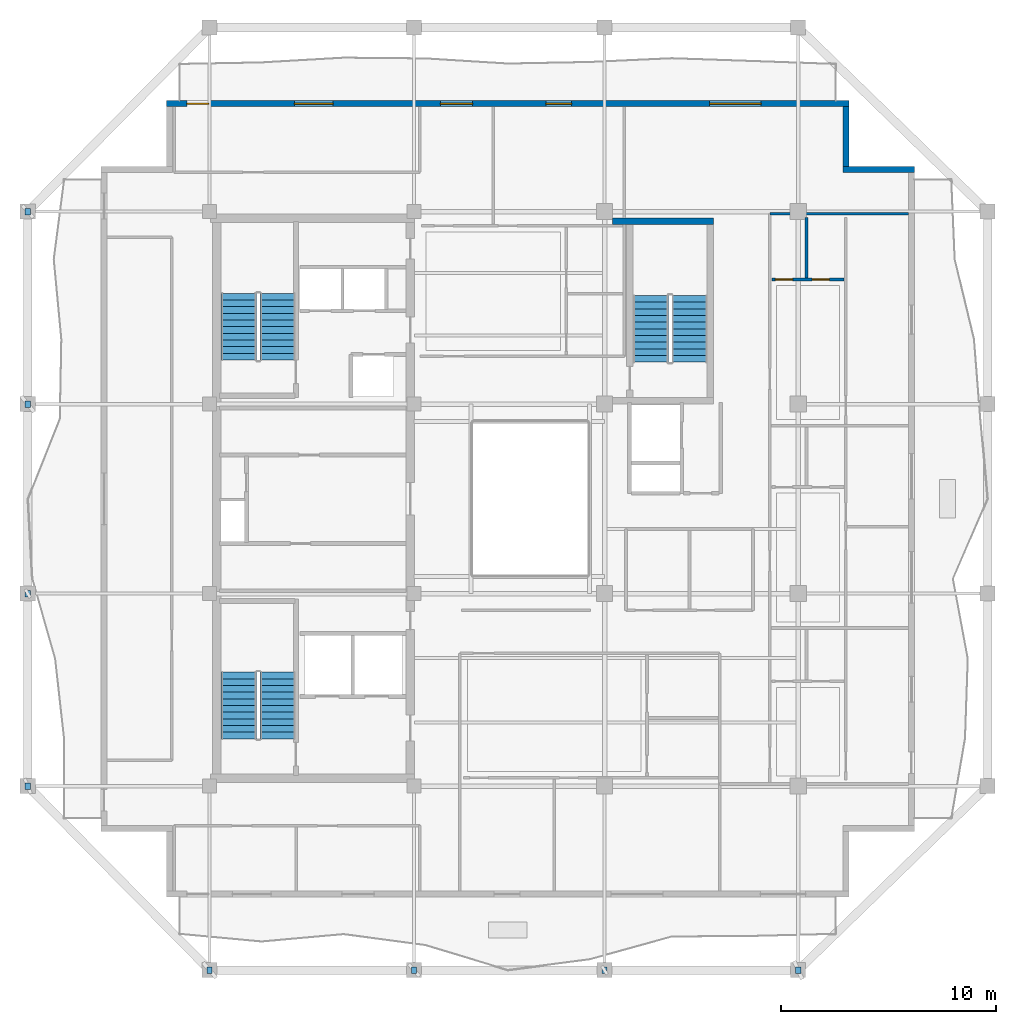
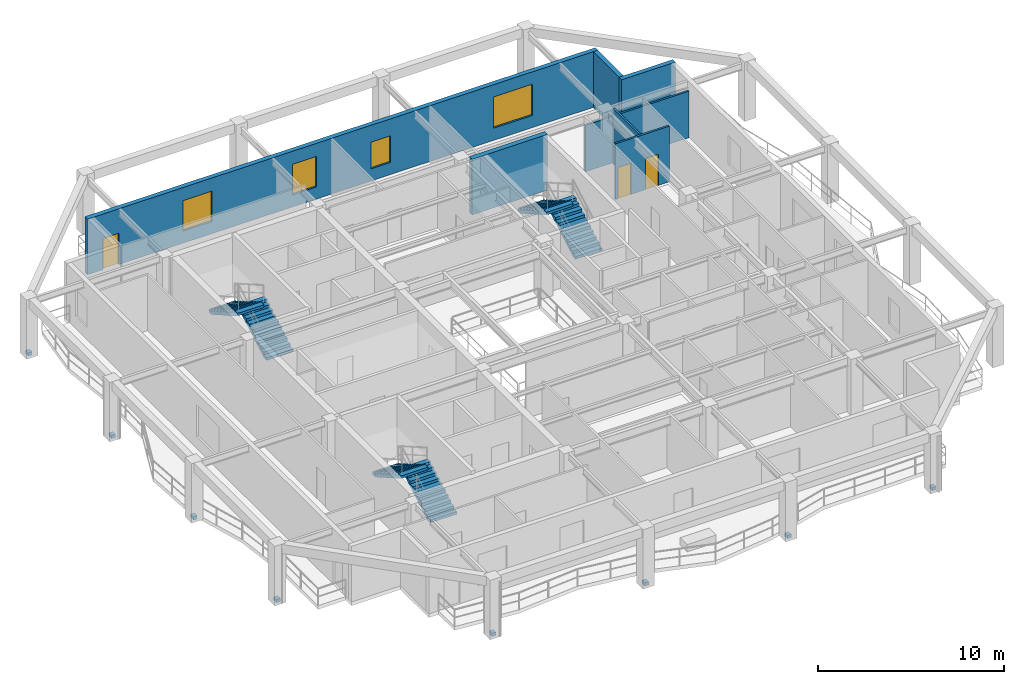
# One storey, part 6 of 10: 8 discrete accessories, 7 walls, 6 stair flights, 4 windows, 3 doors, 7 openings, 3 elements without a shape of their own.
"""IFC4 building model written with IfcOpenShell, lengths in metres."""

from ifc_helpers import new_model, si_unit, direction, frame, frame_2d, origin, origin_2d, place, context, subcontext, project, spatial, polyline, rectangle, outline, extrude, material, layer, layer_set, type_object, element, fill, aggregate, save


model = new_model("IFC4")

# Units and contexts
model_context = context("Model", 3, precision=1e-05, world=origin(), true_north=direction((0.0, 1.0)))
body_context = subcontext(model_context, "Body", "Model", "MODEL_VIEW")
ifc_project = project(units=[si_unit("LENGTHUNIT", "METRE"), si_unit("AREAUNIT", "SQUARE_METRE"), si_unit("VOLUMEUNIT", "CUBIC_METRE"), si_unit("PLANEANGLEUNIT", "RADIAN"), si_unit("MASSUNIT", "GRAM", prefix="KILO")], contexts=[model_context])

# Site, building, storey
site_placement = place(None, origin())
site = spatial("IfcSite", under=ifc_project, at=site_placement, CompositionType="ELEMENT")
building_placement = place(site_placement, origin())
building = spatial("IfcBuilding", under=site, at=building_placement, Name="Kundavana Baori Tower", CompositionType="ELEMENT")
storey_placement = place(building_placement, frame((0.0, 0.0, 292.10009765625)))
storey = spatial("IfcBuildingStorey", under=building, at=storey_placement, Name="L72", CompositionType="ELEMENT", Elevation=292.10009765625)

# Walls
ifc_material_1 = material(Name="Red-Buff Dholpur Sandstone Cladding on Concrete C40/50", Category="masonry")
ifc_layer_1 = layer(ifc_material_1, 0.280029296875, Name="WL-EXT-SAND-280")
ifc_layer_set_1 = layer_set([ifc_layer_1], Name="Red-Buff Dholpur Sandstone Cladding on Concrete C40/50")
wall_type_1 = type_object("IfcWallType", Name="WL-EXT-SAND-280", PredefinedType="STANDARD", material=ifc_layer_set_1)
wall_1_placement = place(storey_placement, frame((48.199951171875, 43.909912109375, 0.0), z_axis=(0.0, 0.0, 1.0), x_axis=(-1.0, 0.0, 0.0)))
element("IfcWall", 1, at=wall_1_placement, inside=storey, type_object=wall_type_1, Name="L72 Exterior Insulated Facade Wall 05", PredefinedType="STANDARD", context=body_context, shape_type="SweptSolid", body=[
    extrude(rectangle(XDim=3.329833984375, YDim=0.280029296875, at=frame_2d((1.6650390625, 0.0))), origin(), (0.0, 0.0, 1.0), 3.659912109375),
])
wall_2_placement = place(storey_placement, frame((45.010009765625, 44.050048828125, 0.0), z_axis=(0.0, 0.0, 1.0), x_axis=(0.0, 1.0, 0.0)))
element("IfcWall", 2, at=wall_2_placement, inside=storey, type_object=wall_type_1, Name="L72 Exterior Insulated Facade Wall 06", PredefinedType="STANDARD", context=body_context, shape_type="SweptSolid", body=[
    extrude(rectangle(XDim=2.77001953125, YDim=0.280029296875, at=frame_2d((1.385009765625, 0.0))), origin(), (0.0, 0.0, 1.0), 3.659912109375),
])

# Wall, openings, door, windows
wall_3_placement = place(storey_placement, frame((45.14990234375, 46.9599609375, 0.0), z_axis=(0.0, 0.0, 1.0), x_axis=(-1.0, 0.0, 0.0)))
wall_3 = element("IfcWall", 3, at=wall_3_placement, inside=storey, type_object=wall_type_1, Name="L72 Exterior Insulated Facade Wall 07", PredefinedType="STANDARD", context=body_context, shape_type="SweptSolid", body=[
    extrude(rectangle(XDim=31.699951171875, YDim=0.280029296875, at=frame_2d((15.85009765625, 0.0))), origin(), (0.0, 0.0, 1.0), 3.659912109375),
])
opening_1_placement = place(wall_3_placement, frame((29.75, 0.0, 0.0)))
opening_1 = element("IfcOpeningElement", 4, at=opening_1_placement, cuts=wall_3, Name="Opening BD-1", PredefinedType="OPENING", context=body_context, shape_type="SweptSolid", body=[
    extrude(rectangle(XDim=1.0, YDim=2.050048828125, at=frame_2d((0.5, 1.02490234375))), frame((0.0, 0.14990234375, 0.0), z_axis=(0.0, -1.0, 0.0), x_axis=(1.0, 0.0, 0.0)), (0.0, 0.0, 1.0), 0.300048828125),
])
opening_2_placement = place(wall_3_placement, frame((23.965087890625, 0.0, 0.800048828125)))
opening_2 = element("IfcOpeningElement", 5, at=opening_2_placement, cuts=wall_3, Name="Opening W-01", PredefinedType="OPENING", context=body_context, shape_type="SweptSolid", body=[
    extrude(rectangle(XDim=1.800048828125, YDim=2.0, at=frame_2d((0.89990234375, 1.0))), frame((0.0, 0.14990234375, 0.0), z_axis=(0.0, -1.0, 0.0), x_axis=(1.0, 0.0, 0.0)), (0.0, 0.0, 1.0), 0.300048828125),
])
opening_3_placement = place(wall_3_placement, frame((17.47802734375, 0.0, 0.800048828125)))
opening_3 = element("IfcOpeningElement", 6, at=opening_3_placement, cuts=wall_3, Name="Opening W-02", PredefinedType="OPENING", context=body_context, shape_type="SweptSolid", body=[
    extrude(rectangle(XDim=1.5, YDim=2.0, at=frame_2d((0.75, 1.0))), frame((0.0, 0.14990234375, 0.0), z_axis=(0.0, -1.0, 0.0), x_axis=(1.0, 0.0, 0.0)), (0.0, 0.0, 1.0), 0.300048828125),
])
opening_4_placement = place(wall_3_placement, frame((12.8779296875, 0.0, 0.800048828125)))
opening_4 = element("IfcOpeningElement", 7, at=opening_4_placement, cuts=wall_3, Name="Opening W-03", PredefinedType="OPENING", context=body_context, shape_type="SweptSolid", body=[
    extrude(rectangle(XDim=1.199951171875, YDim=1.75, at=frame_2d((0.60009765625, 0.875))), frame((0.0, 0.14990234375, 0.0), z_axis=(0.0, -1.0, 0.0), x_axis=(1.0, 0.0, 0.0)), (0.0, 0.0, 1.0), 0.300048828125),
])
opening_5_placement = place(wall_3_placement, frame((4.070068359375, 0.0, 0.800048828125)))
opening_5 = element("IfcOpeningElement", 8, at=opening_5_placement, cuts=wall_3, Name="Opening W-04", PredefinedType="OPENING", context=body_context, shape_type="SweptSolid", body=[
    extrude(rectangle(XDim=2.39990234375, YDim=2.050048828125, at=frame_2d((1.199951171875, 1.02490234375))), frame((0.0, 0.14990234375, 0.0), z_axis=(0.0, -1.0, 0.0), x_axis=(1.0, 0.0, 0.0)), (0.0, 0.0, 1.0), 0.300048828125),
])
ifc_material_2 = material(Name="Architectural Patinated Bronze Metalwork")
door_type_1 = type_object("IfcDoorType", Name="DR-EXT-LOG-1000", OperationType="NOTDEFINED", PredefinedType="DOOR", material=ifc_material_2)
door_1_placement = place(opening_1_placement, frame((1.0, 0.0, 0.0), z_axis=(0.0, 0.0, 1.0), x_axis=(-1.0, 0.0, 0.0)))
door_1 = element("IfcDoor", 9, at=door_1_placement, inside=storey, type_object=door_type_1, Name="L72 Loggia Balcony Access Door N", OperationType="SINGLE_SWING_LEFT", OverallHeight=2.050048828125, OverallWidth=1.0, PredefinedType="DOOR", context=body_context, shape_type="SweptSolid", body=[
    extrude(rectangle(XDim=1.0, YDim=2.050048828125, at=frame_2d((0.5, 1.02490234375))), frame((0.0, 0.02490234375, 0.0), z_axis=(0.0, -1.0, 0.0), x_axis=(1.0, 0.0, 0.0)), (0.0, 0.0, 1.0), 0.050048828125),
])
fill(opening_1, door_1)
ifc_material_3 = material(Name="Double-Glazed Solar-Control Low-E Insulated Glass", Category="glass")
window_type_1 = type_object("IfcWindowType", Name="WIN-LOG-1200x1750", PartitioningType="SINGLE_PANEL", PredefinedType="WINDOW", material=ifc_material_3)
window_1_placement = place(opening_4_placement, origin())
window_1 = element("IfcWindow", 10, at=window_1_placement, inside=storey, type_object=window_type_1, Name="L72 Recessed Loggia Window N-3", OverallHeight=1.75, OverallWidth=1.199951171875, PartitioningType="SINGLE_PANEL", PredefinedType="WINDOW", context=body_context, shape_type="SweptSolid", body=[
    extrude(rectangle(XDim=1.199951171875, YDim=1.75, at=frame_2d((0.60009765625, 0.875))), frame((0.0, 0.030029296875, 0.0), z_axis=(0.0, -1.0, 0.0), x_axis=(1.0, 0.0, 0.0)), (0.0, 0.0, 1.0), 0.06005859375),
])
fill(opening_4, window_1)
ifc_material_4 = material(Name="Double-Glazed Solar-Control Low-E Insulated Glass", Category="glass")
window_type_2 = type_object("IfcWindowType", Name="WIN-LOG-1500x2000", PartitioningType="SINGLE_PANEL", PredefinedType="WINDOW", material=ifc_material_4)
window_2_placement = place(opening_3_placement, origin())
window_2 = element("IfcWindow", 11, at=window_2_placement, inside=storey, type_object=window_type_2, Name="L72 Recessed Loggia Window N-2", OverallHeight=2.0, OverallWidth=1.5, PartitioningType="SINGLE_PANEL", PredefinedType="WINDOW", context=body_context, shape_type="SweptSolid", body=[
    extrude(rectangle(XDim=1.5, YDim=2.0, at=frame_2d((0.75, 1.0))), frame((0.0, 0.030029296875, 0.0), z_axis=(0.0, -1.0, 0.0), x_axis=(1.0, 0.0, 0.0)), (0.0, 0.0, 1.0), 0.06005859375),
])
fill(opening_3, window_2)
ifc_material_5 = material(Name="Double-Glazed Solar-Control Low-E Insulated Glass", Category="glass")
window_type_3 = type_object("IfcWindowType", Name="WIN-LOG-1800x2000", PartitioningType="SINGLE_PANEL", PredefinedType="WINDOW", material=ifc_material_5)
window_3_placement = place(opening_2_placement, origin())
window_3 = element("IfcWindow", 12, at=window_3_placement, inside=storey, type_object=window_type_3, Name="L72 Recessed Loggia Window N-1", OverallHeight=2.0, OverallWidth=1.800048828125, PartitioningType="SINGLE_PANEL", PredefinedType="WINDOW", context=body_context, shape_type="SweptSolid", body=[
    extrude(rectangle(XDim=1.800048828125, YDim=2.0, at=frame_2d((0.89990234375, 1.0))), frame((0.0, 0.030029296875, 0.0), z_axis=(0.0, -1.0, 0.0), x_axis=(1.0, 0.0, 0.0)), (0.0, 0.0, 1.0), 0.06005859375),
])
fill(opening_2, window_3)
ifc_material_6 = material(Name="Double-Glazed Solar-Control Low-E Insulated Glass", Category="glass")
window_type_4 = type_object("IfcWindowType", Name="WIN-LOG-2400x2050", PartitioningType="SINGLE_PANEL", PredefinedType="WINDOW", material=ifc_material_6)
window_4_placement = place(opening_5_placement, origin())
window_4 = element("IfcWindow", 13, at=window_4_placement, inside=storey, type_object=window_type_4, Name="L72 Recessed Loggia Window N-4", OverallHeight=2.050048828125, OverallWidth=2.39990234375, PartitioningType="SINGLE_PANEL", PredefinedType="WINDOW", context=body_context, shape_type="SweptSolid", body=[
    extrude(rectangle(XDim=2.39990234375, YDim=2.050048828125, at=frame_2d((1.199951171875, 1.02490234375))), frame((0.0, 0.030029296875, 0.0), z_axis=(0.0, -1.0, 0.0), x_axis=(1.0, 0.0, 0.0)), (0.0, 0.0, 1.0), 0.06005859375),
])
fill(opening_5, window_4)

# Walls
ifc_material_7 = material(Name="Acoustic Gypsum Plasterboard on Galvanised Steel Studs", Category="steel")
ifc_layer_2 = layer(ifc_material_7, 0.1201171875, Name="WL-PART-120")
ifc_layer_set_2 = layer_set([ifc_layer_2], Name="Acoustic Gypsum Plasterboard on Galvanised Steel Studs")
wall_type_2 = type_object("IfcWallType", Name="WL-PART-120", PredefinedType="PARTITIONING", material=ifc_layer_set_2)
wall_4_placement = place(storey_placement, frame((41.47998046875, 41.85009765625, 0.0), z_axis=(0.0, 0.0, 1.0), x_axis=(1.0, 0.0, 0.0)))
element("IfcWall", 14, at=wall_4_placement, inside=storey, type_object=wall_type_2, Name="WL-L72-REN", PredefinedType="PARTITIONING", context=body_context, shape_type="SweptSolid", body=[
    extrude(rectangle(XDim=6.43994140625, YDim=0.1201171875, at=frame_2d((3.219970703125, 0.0))), origin(), (0.0, 0.0, 1.0), 3.059814453125),
])
ifc_material_8 = material(Name="Concrete C50/60", Category="concrete")
ifc_layer_3 = layer(ifc_material_8, 0.300048828125, Name="WL-ST3-300")
ifc_layer_set_3 = layer_set([ifc_layer_3], Name="Concrete C50/60")
wall_type_3 = type_object("IfcWallType", Name="WL-ST3-300", PredefinedType="SHEAR", material=ifc_layer_set_3)
wall_5_placement = place(storey_placement, frame((34.175048828125, 41.489990234375, 0.0), z_axis=(0.0, 0.0, 1.0), x_axis=(1.0, 0.0, 0.0)))
element("IfcWall", 15, at=wall_5_placement, inside=storey, type_object=wall_type_3, Name="L72 Stair ST3 North Shear Wall", PredefinedType="SHEAR", context=body_context, shape_type="SweptSolid", body=[
    extrude(rectangle(XDim=4.695068359375, YDim=0.300048828125, at=frame_2d((2.34765625, 0.0))), origin(), (0.0, 0.0, 1.0), 3.659912109375),
])

# Wall, openings, doors
ifc_material_9 = material(Name="Autoclaved Aerated Concrete Blockwork Masonry", Category="masonry")
ifc_layer_4 = layer(ifc_material_9, 0.125, Name="WL-WET-120")
ifc_layer_set_4 = layer_set([ifc_layer_4], Name="Autoclaved Aerated Concrete Blockwork Masonry")
wall_type_4 = type_object("IfcWallType", Name="WL-WET-120", PredefinedType="PLUMBINGWALL", material=ifc_layer_set_4)
wall_6_placement = place(storey_placement, frame((41.580078125, 38.79296875, 0.0), z_axis=(0.0, 0.0, 1.0), x_axis=(1.0, 0.0, 0.0)))
wall_6 = element("IfcWall", 16, at=wall_6_placement, inside=storey, type_object=wall_type_4, Name="WL-L72-E3-KH", PredefinedType="PLUMBINGWALL", context=body_context, shape_type="SweptSolid", body=[
    extrude(rectangle(XDim=3.343994140625, YDim=0.125, at=frame_2d((1.671875, 0.0))), origin(), (0.0, 0.0, 1.0), 3.659912109375),
])
opening_6_placement = place(wall_6_placement, frame((0.159912109375, 0.0, 0.0)))
opening_6 = element("IfcOpeningElement", 17, at=opening_6_placement, cuts=wall_6, Name="Opening WD-080", PredefinedType="OPENING", context=body_context, shape_type="SweptSolid", body=[
    extrude(rectangle(XDim=0.800048828125, YDim=2.050048828125, at=frame_2d((0.39990234375, 1.02490234375))), frame((0.0, 0.072509765625, 0.0), z_axis=(0.0, -1.0, 0.0), x_axis=(1.0, 0.0, 0.0)), (0.0, 0.0, 1.0), 0.14501953125),
])
opening_7_placement = place(wall_6_placement, frame((1.864990234375, 0.0, 0.0)))
opening_7 = element("IfcOpeningElement", 18, at=opening_7_placement, cuts=wall_6, Name="Opening WD-080", PredefinedType="OPENING", context=body_context, shape_type="SweptSolid", body=[
    extrude(rectangle(XDim=0.800048828125, YDim=2.050048828125, at=frame_2d((0.39990234375, 1.02490234375))), frame((0.0, 0.072509765625, 0.0), z_axis=(0.0, -1.0, 0.0), x_axis=(1.0, 0.0, 0.0)), (0.0, 0.0, 1.0), 0.14501953125),
])
ifc_material_10 = material(Name="Engineered Teak Solid-Core Timber Veneer", Category="wood")
door_type_2 = type_object("IfcDoorType", Name="DR-WET-800", OperationType="NOTDEFINED", PredefinedType="DOOR", material=ifc_material_10)
door_2_placement = place(opening_6_placement, origin())
door_2 = element("IfcDoor", 19, at=door_2_placement, inside=storey, type_object=door_type_2, Name="DR-L72-E3-BT", OperationType="SINGLE_SWING_LEFT", OverallHeight=2.050048828125, OverallWidth=0.800048828125, PredefinedType="DOOR", context=body_context, shape_type="SweptSolid", body=[
    extrude(rectangle(XDim=0.800048828125, YDim=2.050048828125, at=frame_2d((0.39990234375, 1.02490234375))), frame((0.0, 0.02490234375, 0.0), z_axis=(0.0, -1.0, 0.0), x_axis=(1.0, 0.0, 0.0)), (0.0, 0.0, 1.0), 0.050048828125),
])
fill(opening_6, door_2)
door_3_placement = place(opening_7_placement, origin())
door_3 = element("IfcDoor", 20, at=door_3_placement, inside=storey, type_object=door_type_2, Name="DR-L72-E3-KT", OperationType="SINGLE_SWING_RIGHT", OverallHeight=2.050048828125, OverallWidth=0.800048828125, PredefinedType="DOOR", context=body_context, shape_type="SweptSolid", body=[
    extrude(rectangle(XDim=0.800048828125, YDim=2.050048828125, at=frame_2d((0.39990234375, 1.02490234375))), frame((0.0, 0.02490234375, 0.0), z_axis=(0.0, -1.0, 0.0), x_axis=(1.0, 0.0, 0.0)), (0.0, 0.0, 1.0), 0.050048828125),
])
fill(opening_7, door_3)

# Wall
wall_7_placement = place(storey_placement, frame((43.18505859375, 38.873046875, 0.0), z_axis=(0.0, 0.0, 1.0), x_axis=(0.0, 1.0, 0.0)))
element("IfcWall", 21, at=wall_7_placement, inside=storey, type_object=wall_type_4, Name="WL-L72-E3-BV", PredefinedType="PLUMBINGWALL", context=body_context, shape_type="SweptSolid", body=[
    extrude(rectangle(XDim=2.796875, YDim=0.125, at=frame_2d((1.3984375, 0.0))), origin(), (0.0, 0.0, 1.0), 3.659912109375),
])

# Stair, stair flights
ifc_material_11 = material(Name="Concrete C40/50", Category="concrete")
stair_type = type_object("IfcStairType", Name="STR-DOG-1650", PredefinedType="HALF_TURN_STAIR", material=ifc_material_11)
stair_1_placement = place(storey_placement, origin())
stair_1 = element("IfcStair", 22, at=stair_1_placement, inside=storey, type_object=stair_type, Name="L72 Protected Exit Stair ST1", PredefinedType="HALF_TURN_STAIR")
ifc_material_12 = material(Name="Concrete C40/50", Category="concrete")
stair_flight_type = type_object("IfcStairFlightType", Name="SFL-RC-1650", PredefinedType="STRAIGHT", material=ifc_material_12)
stair_flight_1_placement = place(storey_placement, frame((18.614990234375, 17.449951171875, 0.0), z_axis=(0.0, 0.0, 1.0), x_axis=(0.0, 1.0, 0.0)))
stair_flight_1 = element("IfcStairFlight", 23, at=stair_flight_1_placement, type_object=stair_flight_type, Name="ST1 flight 1", NumberOfRisers=11, NumberOfTreads=10, PredefinedType="STRAIGHT", RiserHeight=0.177272727, TreadLength=0.31, context=body_context, shape_type="SweptSolid", body=[
    extrude(outline(polyline([(0.0, 0.0), (0.0, 0.17724609375), (0.31005859375, 0.17724609375), (0.31005859375, 0.3544921875), (0.6201171875, 0.3544921875), (0.6201171875, 0.53173828125), (0.929931640625, 0.53173828125), (0.929931640625, 0.708984375), (1.239990234375, 0.708984375), (1.239990234375, 0.886474609375), (1.550048828125, 0.886474609375), (1.550048828125, 1.063720703125), (1.860107421875, 1.063720703125), (1.860107421875, 1.240966796875), (2.169921875, 1.240966796875), (2.169921875, 1.418212890625), (2.47998046875, 1.418212890625), (2.47998046875, 1.595458984375), (2.7900390625, 1.595458984375), (2.7900390625, 1.772705078125), (3.10009765625, 1.772705078125), (3.10009765625, 1.949951171875), (3.10009765625, 1.60009765625), (0.302001953125, 0.0), (0.0, 0.0)])), frame((0.0, 0.824951171875, 0.0), z_axis=(0.0, -1.0, 0.0), x_axis=(1.0, 0.0, 0.0)), (0.0, 0.0, 1.0), 1.64990234375),
])
stair_flight_2_placement = place(storey_placement, frame((16.804931640625, 20.550048828125, 1.949951171875), z_axis=(0.0, 0.0, 1.0), x_axis=(0.0, -1.0, 0.0)))
stair_flight_2 = element("IfcStairFlight", 24, at=stair_flight_2_placement, type_object=stair_flight_type, Name="ST1 flight 2", NumberOfRisers=11, NumberOfTreads=10, PredefinedType="STRAIGHT", RiserHeight=0.177272727, TreadLength=0.31, context=body_context, shape_type="SweptSolid", body=[
    extrude(outline(polyline([(0.0, 0.0), (0.0, 0.17724609375), (0.31005859375, 0.17724609375), (0.31005859375, 0.3544921875), (0.6201171875, 0.3544921875), (0.6201171875, 0.53173828125), (0.929931640625, 0.53173828125), (0.929931640625, 0.708984375), (1.239990234375, 0.708984375), (1.239990234375, 0.886474609375), (1.550048828125, 0.886474609375), (1.550048828125, 1.063720703125), (1.860107421875, 1.063720703125), (1.860107421875, 1.240966796875), (2.169921875, 1.240966796875), (2.169921875, 1.418212890625), (2.47998046875, 1.418212890625), (2.47998046875, 1.595458984375), (2.7900390625, 1.595458984375), (2.7900390625, 1.772705078125), (3.10009765625, 1.772705078125), (3.10009765625, 1.949951171875), (3.10009765625, 1.60009765625), (0.302001953125, 0.0), (0.0, 0.0)])), frame((0.0, 0.824951171875, 0.0), z_axis=(0.0, -1.0, 0.0), x_axis=(1.0, 0.0, 0.0)), (0.0, 0.0, 1.0), 1.64990234375),
])
aggregate(stair_1, [stair_flight_1, stair_flight_2])

stair_2_placement = place(storey_placement, origin())
stair_2 = element("IfcStair", 25, at=stair_2_placement, inside=storey, type_object=stair_type, Name="L72 Protected Exit Stair ST2", PredefinedType="HALF_TURN_STAIR")
stair_flight_3_placement = place(storey_placement, frame((18.614990234375, 35.050048828125, 0.0), z_axis=(0.0, 0.0, 1.0), x_axis=(0.0, 1.0, 0.0)))
stair_flight_3 = element("IfcStairFlight", 26, at=stair_flight_3_placement, type_object=stair_flight_type, Name="ST2 flight 1", NumberOfRisers=11, NumberOfTreads=10, PredefinedType="STRAIGHT", RiserHeight=0.177272727, TreadLength=0.31, context=body_context, shape_type="SweptSolid", body=[
    extrude(outline(polyline([(0.0, 0.0), (0.0, 0.17724609375), (0.31005859375, 0.17724609375), (0.31005859375, 0.3544921875), (0.6201171875, 0.3544921875), (0.6201171875, 0.53173828125), (0.929931640625, 0.53173828125), (0.929931640625, 0.708984375), (1.239990234375, 0.708984375), (1.239990234375, 0.886474609375), (1.550048828125, 0.886474609375), (1.550048828125, 1.063720703125), (1.860107421875, 1.063720703125), (1.860107421875, 1.240966796875), (2.169921875, 1.240966796875), (2.169921875, 1.418212890625), (2.47998046875, 1.418212890625), (2.47998046875, 1.595458984375), (2.7900390625, 1.595458984375), (2.7900390625, 1.772705078125), (3.10009765625, 1.772705078125), (3.10009765625, 1.949951171875), (3.10009765625, 1.60009765625), (0.302001953125, 0.0), (0.0, 0.0)])), frame((0.0, 0.824951171875, 0.0), z_axis=(0.0, -1.0, 0.0), x_axis=(1.0, 0.0, 0.0)), (0.0, 0.0, 1.0), 1.64990234375),
])
stair_flight_4_placement = place(storey_placement, frame((16.804931640625, 38.14990234375, 1.949951171875), z_axis=(0.0, 0.0, 1.0), x_axis=(0.0, -1.0, 0.0)))
stair_flight_4 = element("IfcStairFlight", 27, at=stair_flight_4_placement, type_object=stair_flight_type, Name="ST2 flight 2", NumberOfRisers=11, NumberOfTreads=10, PredefinedType="STRAIGHT", RiserHeight=0.177272727, TreadLength=0.31, context=body_context, shape_type="SweptSolid", body=[
    extrude(outline(polyline([(0.0, 0.0), (0.0, 0.17724609375), (0.31005859375, 0.17724609375), (0.31005859375, 0.3544921875), (0.6201171875, 0.3544921875), (0.6201171875, 0.53173828125), (0.929931640625, 0.53173828125), (0.929931640625, 0.708984375), (1.239990234375, 0.708984375), (1.239990234375, 0.886474609375), (1.550048828125, 0.886474609375), (1.550048828125, 1.063720703125), (1.860107421875, 1.063720703125), (1.860107421875, 1.240966796875), (2.169921875, 1.240966796875), (2.169921875, 1.418212890625), (2.47998046875, 1.418212890625), (2.47998046875, 1.595458984375), (2.7900390625, 1.595458984375), (2.7900390625, 1.772705078125), (3.10009765625, 1.772705078125), (3.10009765625, 1.949951171875), (3.10009765625, 1.60009765625), (0.302001953125, 0.0), (0.0, 0.0)])), frame((0.0, 0.824951171875, 0.0), z_axis=(0.0, -1.0, 0.0), x_axis=(1.0, 0.0, 0.0)), (0.0, 0.0, 1.0), 1.64990234375),
])
aggregate(stair_2, [stair_flight_3, stair_flight_4])

stair_3_placement = place(storey_placement, origin())
stair_3 = element("IfcStair", 28, at=stair_3_placement, inside=storey, type_object=stair_type, Name="L72 Protected Exit Stair ST3", PredefinedType="HALF_TURN_STAIR")
stair_flight_5_placement = place(storey_placement, frame((37.7548828125, 34.949951171875, 0.0), z_axis=(0.0, 0.0, 1.0), x_axis=(0.0, 1.0, 0.0)))
stair_flight_5 = element("IfcStairFlight", 29, at=stair_flight_5_placement, type_object=stair_flight_type, Name="ST3 flight 1", NumberOfRisers=11, NumberOfTreads=10, PredefinedType="STRAIGHT", RiserHeight=0.177272727, TreadLength=0.31, context=body_context, shape_type="SweptSolid", body=[
    extrude(outline(polyline([(0.0, 0.0), (0.0, 0.17724609375), (0.31005859375, 0.17724609375), (0.31005859375, 0.3544921875), (0.6201171875, 0.3544921875), (0.6201171875, 0.53173828125), (0.929931640625, 0.53173828125), (0.929931640625, 0.708984375), (1.239990234375, 0.708984375), (1.239990234375, 0.886474609375), (1.550048828125, 0.886474609375), (1.550048828125, 1.063720703125), (1.860107421875, 1.063720703125), (1.860107421875, 1.240966796875), (2.169921875, 1.240966796875), (2.169921875, 1.418212890625), (2.47998046875, 1.418212890625), (2.47998046875, 1.595458984375), (2.7900390625, 1.595458984375), (2.7900390625, 1.772705078125), (3.10009765625, 1.772705078125), (3.10009765625, 1.949951171875), (3.10009765625, 1.60009765625), (0.302001953125, 0.0), (0.0, 0.0)])), frame((0.0, 0.824951171875, 0.0), z_axis=(0.0, -1.0, 0.0), x_axis=(1.0, 0.0, 0.0)), (0.0, 0.0, 1.0), 1.64990234375),
])
stair_flight_6_placement = place(storey_placement, frame((35.945068359375, 38.050048828125, 1.949951171875), z_axis=(0.0, 0.0, 1.0), x_axis=(0.0, -1.0, 0.0)))
stair_flight_6 = element("IfcStairFlight", 30, at=stair_flight_6_placement, type_object=stair_flight_type, Name="ST3 flight 2", NumberOfRisers=11, NumberOfTreads=10, PredefinedType="STRAIGHT", RiserHeight=0.177272727, TreadLength=0.31, context=body_context, shape_type="SweptSolid", body=[
    extrude(outline(polyline([(0.0, 0.0), (0.0, 0.17724609375), (0.31005859375, 0.17724609375), (0.31005859375, 0.3544921875), (0.6201171875, 0.3544921875), (0.6201171875, 0.53173828125), (0.929931640625, 0.53173828125), (0.929931640625, 0.708984375), (1.239990234375, 0.708984375), (1.239990234375, 0.886474609375), (1.550048828125, 0.886474609375), (1.550048828125, 1.063720703125), (1.860107421875, 1.063720703125), (1.860107421875, 1.240966796875), (2.169921875, 1.240966796875), (2.169921875, 1.418212890625), (2.47998046875, 1.418212890625), (2.47998046875, 1.595458984375), (2.7900390625, 1.595458984375), (2.7900390625, 1.772705078125), (3.10009765625, 1.772705078125), (3.10009765625, 1.949951171875), (3.10009765625, 1.60009765625), (0.302001953125, 0.0), (0.0, 0.0)])), frame((0.0, 0.824951171875, 0.0), z_axis=(0.0, -1.0, 0.0), x_axis=(1.0, 0.0, 0.0)), (0.0, 0.0, 1.0), 1.64990234375),
])
aggregate(stair_3, [stair_flight_5, stair_flight_6])

# Discrete accessories
ifc_material_13 = material(Name="Structural Steel S355JR", Category="steel")
discrete_accessory_type = type_object("IfcDiscreteAccessoryType", Name="ACC-BRK-FIN", PredefinedType="BRACKET", material=ifc_material_13)
for number, where, z_axis, x_axis, name in (
    (31, (15.449951171875, 6.699951171875, 0.0), (0.0, 0.0, 1.0), (1.0, 0.0, 0.0), "L72 Stainless Fin Anchor Bracket 1"),
    (32, (24.949951171875, 6.699951171875, 0.0), (0.0, 0.0, 1.0), (1.0, 0.0, 0.0), "L72 Stainless Fin Anchor Bracket 2"),
    (33, (33.800048828125, 6.699951171875, 0.0), (0.0, 0.0, 1.0), (1.0, 0.0, 0.0), "L72 Stainless Fin Anchor Bracket 3"),
    (34, (42.800048828125, 6.699951171875, 0.0), (0.0, 0.0, 1.0), (1.0, 0.0, 0.0), "L72 Stainless Fin Anchor Bracket 4"),
    (35, (7.0, 15.25, 0.0), (0.0, 0.0, 1.0), (1.0, 0.0, 0.0), "L72 Stainless Fin Anchor Bracket 5"),
    (36, (7.0, 24.199951171875, 0.0), (0.0, 0.0, 1.0), (1.0, 0.0, 0.0), "L72 Stainless Fin Anchor Bracket 6"),
    (37, (7.0, 33.0, 0.0), (0.0, 0.0, 1.0), (1.0, 0.0, 0.0), "L72 Stainless Fin Anchor Bracket 7"),
    (38, (7.0, 41.949951171875, 0.0), (0.0, 0.0, 1.0), (1.0, 0.0, 0.0), "L72 Stainless Fin Anchor Bracket 8"),
):
    element("IfcDiscreteAccessory", number, at=place(storey_placement, frame(where, z_axis=z_axis, x_axis=x_axis)), inside=storey, type_object=discrete_accessory_type, Name=name, PredefinedType="BRACKET", context=body_context, shape_type="SweptSolid", body=[
        extrude(rectangle(XDim=0.239990234375, YDim=0.300048828125, at=origin_2d()), origin(), (0.0, 0.0, 1.0), 0.219970703125),
    ])

save(model, "model.ifc")
